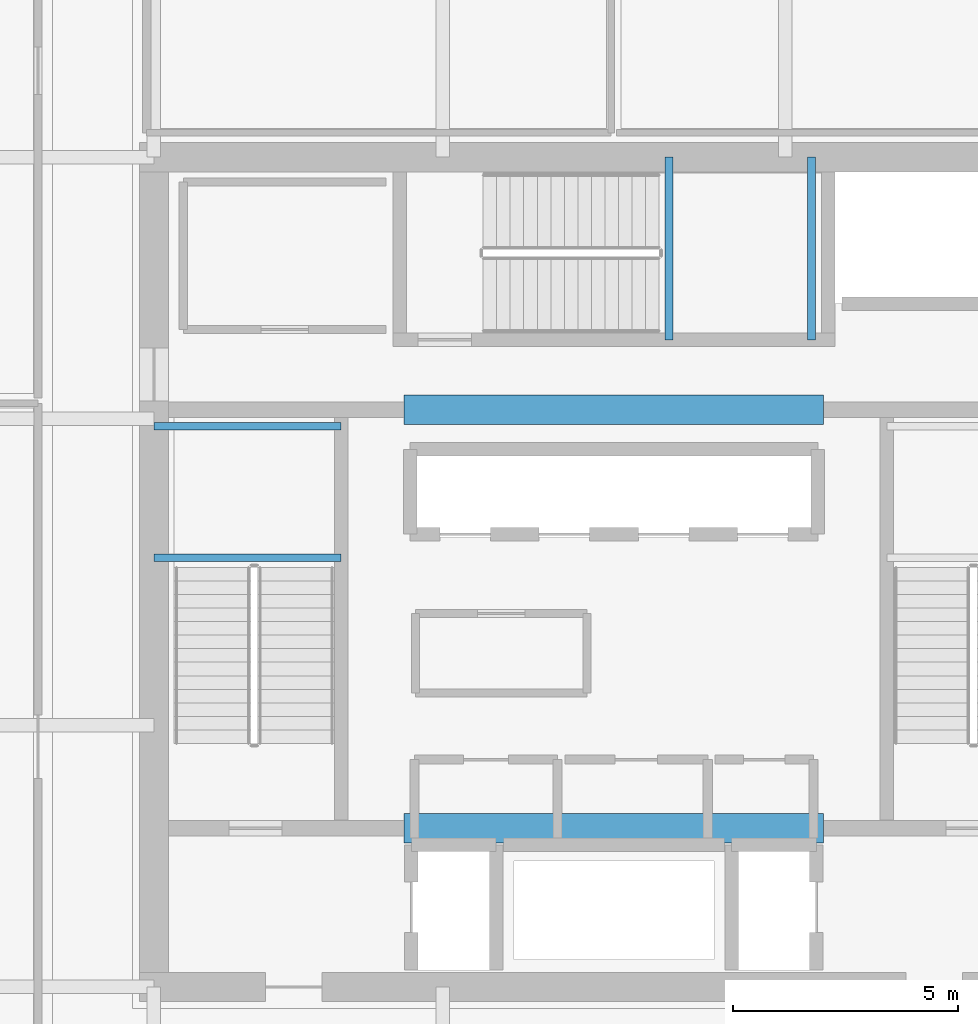
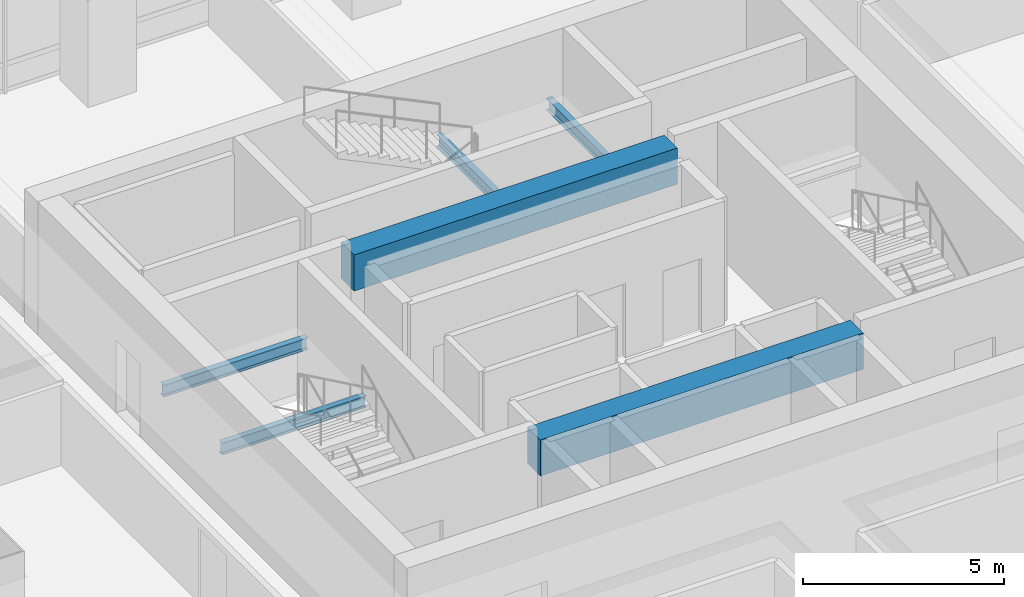
# One storey, part 12 of 46: 6 beams.
"""IFC4 building model written with IfcOpenShell, lengths in metres."""

from ifc_helpers import new_model, si_unit, direction, frame, origin, origin_2d, place, context, subcontext, project, spatial, rectangle, i_section, extrude, material, material_profile, profile_set, type_object, element, save


model = new_model("IFC4")

# Units and contexts
model_context = context("Model", 3, precision=1e-05, world=origin(), true_north=direction((0.0, 1.0)))
body_context = subcontext(model_context, "Body", "Model", "MODEL_VIEW")
ifc_project = project(units=[si_unit("LENGTHUNIT", "METRE"), si_unit("AREAUNIT", "SQUARE_METRE"), si_unit("VOLUMEUNIT", "CUBIC_METRE"), si_unit("PLANEANGLEUNIT", "RADIAN"), si_unit("MASSUNIT", "GRAM", prefix="KILO")], contexts=[model_context])

# Site, building, storey
site_placement = place(None, origin())
site = spatial("IfcSite", under=ifc_project, at=site_placement, CompositionType="ELEMENT")
building_placement = place(site_placement, origin())
building = spatial("IfcBuilding", under=site, at=building_placement, Name="Punatoya Terracotta Tower", CompositionType="ELEMENT")
storey_placement = place(building_placement, frame((0.0, 0.0, 200.550048828125)))
storey = spatial("IfcBuildingStorey", under=building, at=storey_placement, Name="L47", CompositionType="ELEMENT", Elevation=200.550048828125)

# Beams
ifc_material_1 = material(Name="Concrete C60/75", Category="concrete")
ifc_material_profile_1 = material_profile(ifc_material_1, rectangle(XDim=0.64990234375, YDim=1.10009765625, at=origin_2d()))
ifc_profile_set_1 = profile_set([ifc_material_profile_1], Name="Concrete C60/75")
beam_type_1 = type_object("IfcBeamType", Name="BM-RC-1100", PredefinedType="LINTEL", material=ifc_profile_set_1)
for number, where, z_axis, x_axis, name in (
    (1, (-4.64990234375, -5.679931640625, 3.219970703125), (1.0, 0.0, 0.0), (0.0, 1.0, 0.0), "L47 Core Coupling Lintel CSW"),
    (2, (-4.64990234375, 3.60009765625, 3.219970703125), (1.0, 0.0, 0.0), (0.0, 1.0, 0.0), "L47 Core Coupling Lintel CNW"),
):
    element("IfcBeam", number, at=place(storey_placement, frame(where, z_axis=z_axis, x_axis=x_axis)), inside=storey, type_object=beam_type_1, Name=name, PredefinedType="LINTEL", context=body_context, shape_type="SweptSolid", body=[
        extrude(rectangle(XDim=0.64990234375, YDim=1.10009765625, at=origin_2d()), origin(), (0.0, 0.0, 1.0), 9.2998046875),
    ])
ifc_material_2 = material(Name="Steel S355", Category="steel")
ifc_material_profile_2 = material_profile(ifc_material_2, i_section(OverallWidth=0.169921875, OverallDepth=0.360107421875, WebThickness=0.008056640625, FlangeThickness=0.0126953125, FilletRadius=0.01806640625, at=origin_2d()))
ifc_profile_set_2 = profile_set([ifc_material_profile_2], Name="Steel S355")
beam_type_2 = type_object("IfcBeamType", Name="BM-SEC-360", PredefinedType="JOIST", material=ifc_profile_set_2)
for number, where, z_axis, x_axis, name in (
    (3, (-10.199951171875, 0.320068359375, 1.64501953125), (1.0, 0.0, 0.0), (0.0, 1.0, 0.0), "BM-L47-ST-1-LD1A"),
    (4, (-10.199951171875, 3.22998046875, 1.64501953125), (1.0, 0.0, 0.0), (0.0, 1.0, 0.0), "BM-L47-ST-1-LD1B"),
):
    element("IfcBeam", number, at=place(storey_placement, frame(where, z_axis=z_axis, x_axis=x_axis)), inside=storey, type_object=beam_type_2, Name=name, PredefinedType="JOIST", context=body_context, shape_type="SweptSolid", body=[
        extrude(i_section(OverallWidth=0.169921875, OverallDepth=0.360107421875, WebThickness=0.008056640625, FlangeThickness=0.0126953125, FilletRadius=0.01806640625, at=origin_2d()), origin(), (0.0, 0.0, 1.0), 4.14990234375),
    ])
for number, where, z_axis, x_axis, name in (
    (5, (1.219970703125, 5.14990234375, 1.64501953125), (0.0, 1.0, 0.0), (-1.0, 0.0, 0.0), "BM-L47-ST-3-LD1A"),
    (6, (4.3798828125, 5.14990234375, 1.64501953125), (0.0, 1.0, 0.0), (-1.0, 0.0, 0.0), "BM-L47-ST-3-LD1B"),
):
    element("IfcBeam", number, at=place(storey_placement, frame(where, z_axis=z_axis, x_axis=x_axis)), inside=storey, type_object=beam_type_2, Name=name, PredefinedType="JOIST", context=body_context, shape_type="SweptSolid", body=[
        extrude(i_section(OverallWidth=0.169921875, OverallDepth=0.360107421875, WebThickness=0.008056640625, FlangeThickness=0.0126953125, FilletRadius=0.01806640625, at=origin_2d()), origin(), (0.0, 0.0, 1.0), 4.050048828125),
    ])

save(model, "model.ifc")
